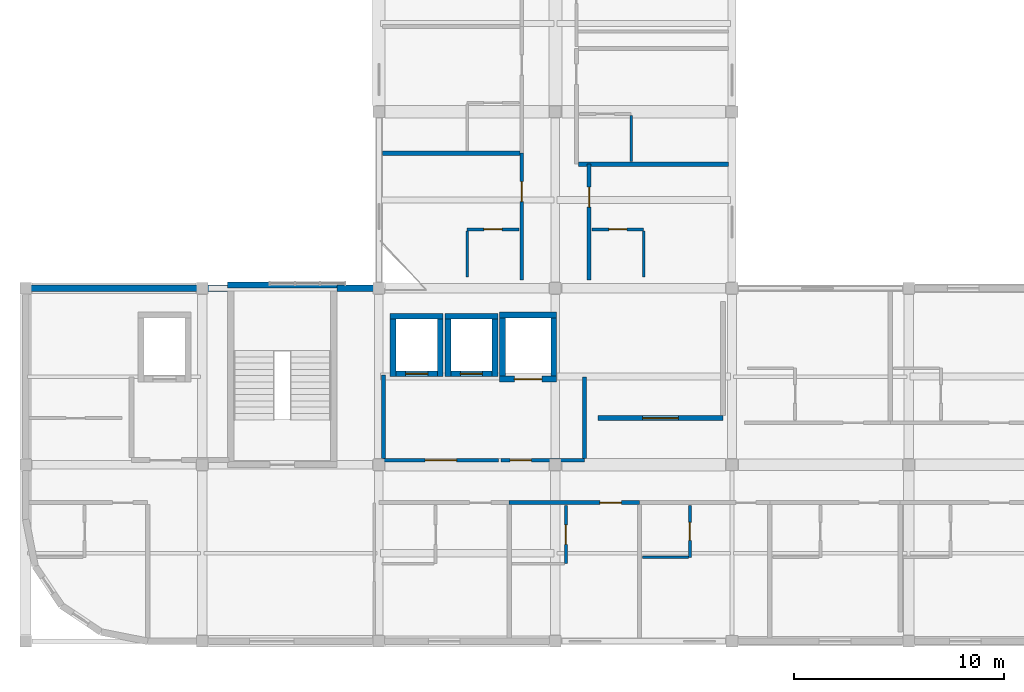
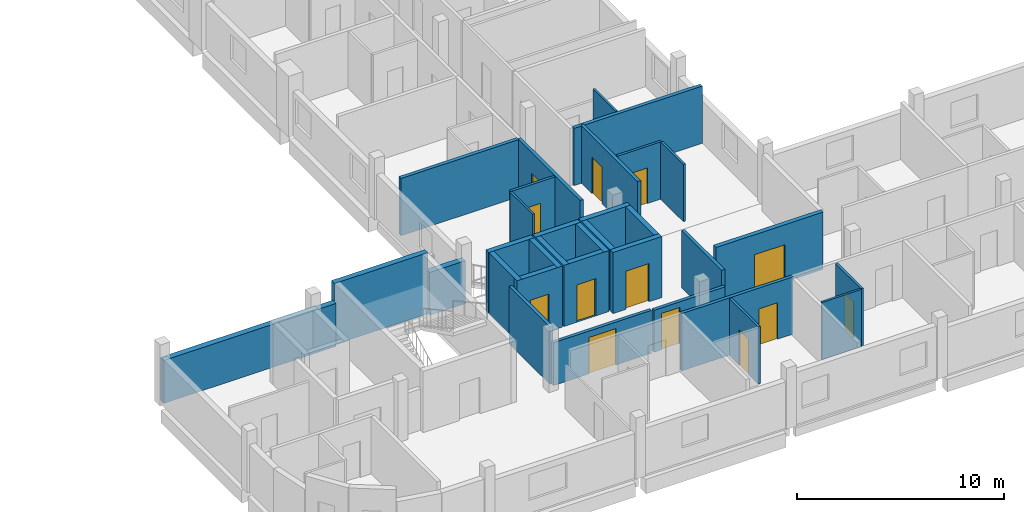
# One storey, part 13 of 26: 33 walls, 13 doors, 13 openings.
"""IFC4 building model written with IfcOpenShell, lengths in metres."""

from ifc_helpers import new_model, si_unit, derived_unit, direction, frame, frame_2d, origin, place, context, subcontext, project, spatial, rectangle, extrude, material, layer, layer_set, type_object, element, fill, save


model = new_model("IFC4")

# Units and contexts
model_context = context("Model", 3, precision=1e-05, world=origin(), true_north=direction((0.0, 1.0)))
body_context = subcontext(model_context, "Body", "Model", "MODEL_VIEW")
ifc_project = project(units=[si_unit("LENGTHUNIT", "METRE"), si_unit("AREAUNIT", "SQUARE_METRE"), si_unit("VOLUMEUNIT", "CUBIC_METRE"), si_unit("PLANEANGLEUNIT", "RADIAN"), si_unit("MASSUNIT", "GRAM", prefix="KILO"), derived_unit("THERMALTRANSMITTANCEUNIT", [(si_unit("POWERUNIT", "WATT"), 1), (si_unit("LENGTHUNIT", "METRE"), -2), (si_unit("THERMODYNAMICTEMPERATUREUNIT", "KELVIN"), -1)])], contexts=[model_context])

# Site, building, storey
site_placement = place(None, origin())
site = spatial("IfcSite", under=ifc_project, at=site_placement, CompositionType="ELEMENT")
building_placement = place(site_placement, origin())
building = spatial("IfcBuilding", under=site, at=building_placement, Name="Barrovel Congress Hotel", CompositionType="ELEMENT")
storey_placement = place(building_placement, frame((0.0, 0.0, 32.699951171875)))
storey = spatial("IfcBuildingStorey", under=building, at=storey_placement, Name="L08", CompositionType="ELEMENT", Elevation=32.699951171875)

# Walls
ifc_material_1 = material(Name="Fired Clay Brick Masonry", Category="masonry")
ifc_layer_1 = layer(ifc_material_1, 0.320068359375)
ifc_layer_set_1 = layer_set([ifc_layer_1], Name="Fired Clay Brick Masonry")
wall_type_1 = type_object("IfcWallType", Name="EW-BRK320", PredefinedType="STANDARD", material=ifc_layer_set_1)
wall_1_placement = place(storey_placement, frame((33.60009765625, 21.0, 0.0), z_axis=(0.0, 0.0, 1.0), x_axis=(-1.0, 0.0, 0.0)))
element("IfcWall", 1, at=wall_1_placement, inside=storey, type_object=wall_type_1, Name="EW:L08:HS-NW-1", PredefinedType="STANDARD", context=body_context, shape_type="SweptSolid", body=[
    extrude(rectangle(XDim=2.0, YDim=0.320068359375, at=frame_2d((1.0, 0.0))), origin(), (0.0, 0.0, 1.0), 2.530029296875),
])
wall_2_placement = place(storey_placement, frame((26.39990234375, 21.0, 0.0), z_axis=(0.0, 0.0, 1.0), x_axis=(-1.0, 0.0, 0.0)))
element("IfcWall", 2, at=wall_2_placement, inside=storey, type_object=wall_type_1, Name="EW:L08:HS-NW-2", PredefinedType="STANDARD", context=body_context, shape_type="SweptSolid", body=[
    extrude(rectangle(XDim=9.599853515625, YDim=0.320068359375, at=frame_2d((4.7998046875, 0.0))), origin(), (0.0, 0.0, 1.0), 2.530029296875),
])

# Wall, opening, door
ifc_material_2 = material(Name="Gypsum Acoustic Stud", Category="gypsum")
ifc_layer_2 = layer(ifc_material_2, 0.179931640625)
ifc_layer_set_2 = layer_set([ifc_layer_2], Name="Gypsum Acoustic Stud")
wall_type_2 = type_object("IfcWallType", Name="PW-ACU-180", PredefinedType="PARTITIONING", material=ifc_layer_set_2)
wall_3_placement = place(storey_placement, frame((39.800048828125, 10.800048828125, 0.0), z_axis=(0.0, 0.0, 1.0), x_axis=(1.0, 0.0, 0.0)))
wall_3 = element("IfcWall", 3, at=wall_3_placement, inside=storey, type_object=wall_type_2, Name="PW:L08:U03:COR", PredefinedType="PARTITIONING", context=body_context, shape_type="SweptSolid", body=[
    extrude(rectangle(XDim=6.199951171875, YDim=0.179931640625, at=frame_2d((3.10009765625, 0.0))), origin(), (0.0, 0.0, 1.0), 3.375),
])
opening_1_placement = place(wall_3_placement, frame((4.31494140625, 0.0, 0.0)))
opening_1 = element("IfcOpeningElement", 4, at=opening_1_placement, cuts=wall_3, Name="Opening ID-ACC", PredefinedType="OPENING", context=body_context, shape_type="SweptSolid", body=[
    extrude(rectangle(XDim=1.02001953125, YDim=2.14990234375, at=frame_2d((0.510009765625, 1.074951171875))), frame((0.0, 0.10009765625, 0.0), z_axis=(0.0, -1.0, 0.0), x_axis=(1.0, 0.0, 0.0)), (0.0, 0.0, 1.0), 0.199951171875),
])
ifc_material_3 = material(Name="Solid Oak Acoustic Timber Door", Category="wood")
door_type_1 = type_object("IfcDoorType", Name="IDR-ID-ACC", OperationType="NOTDEFINED", PredefinedType="DOOR", material=ifc_material_3)
door_1_placement = place(opening_1_placement, origin())
door_1 = element("IfcDoor", 5, at=door_1_placement, inside=storey, type_object=door_type_1, Name="DR:L08:U03:ENT", OperationType="SINGLE_SWING_RIGHT", OverallHeight=2.14990234375, OverallWidth=1.02001953125, PredefinedType="DOOR", context=body_context, shape_type="SweptSolid", body=[
    extrude(rectangle(XDim=1.02001953125, YDim=2.14990234375, at=frame_2d((0.510009765625, 1.074951171875))), frame((0.0, 0.02490234375, 0.0), z_axis=(0.0, -1.0, 0.0), x_axis=(1.0, 0.0, 0.0)), (0.0, 0.0, 1.0), 0.050048828125),
])
fill(opening_1, door_1)

wall_4_placement = place(storey_placement, frame((40.39990234375, 21.39990234375, 0.0), z_axis=(0.0, 0.0, 1.0), x_axis=(0.0, 1.0, 0.0)))
wall_4 = element("IfcWall", 6, at=wall_4_placement, inside=storey, type_object=wall_type_2, Name="PW:L08:U25:COR", PredefinedType="PARTITIONING", context=body_context, shape_type="SweptSolid", body=[
    extrude(rectangle(XDim=6.025146484375, YDim=0.179931640625, at=frame_2d((3.0126953125, 0.0))), origin(), (0.0, 0.0, 1.0), 3.375),
])
opening_2_placement = place(wall_4_placement, frame((3.717529296875, 0.0, 0.0)))
opening_2 = element("IfcOpeningElement", 7, at=opening_2_placement, cuts=wall_4, Name="Opening ID-HTL", PredefinedType="OPENING", context=body_context, shape_type="SweptSolid", body=[
    extrude(rectangle(XDim=0.9599609375, YDim=2.14990234375, at=frame_2d((0.47998046875, 1.074951171875))), frame((0.0, 0.10009765625, 0.0), z_axis=(0.0, -1.0, 0.0), x_axis=(1.0, 0.0, 0.0)), (0.0, 0.0, 1.0), 0.199951171875),
])
door_type_2 = type_object("IfcDoorType", Name="IDR-ID-HTL", OperationType="NOTDEFINED", PredefinedType="DOOR", material=ifc_material_3)
door_2_placement = place(opening_2_placement, origin())
door_2 = element("IfcDoor", 8, at=door_2_placement, inside=storey, type_object=door_type_2, Name="DR:L08:U25:ENT", OperationType="SINGLE_SWING_RIGHT", OverallHeight=2.14990234375, OverallWidth=0.9599609375, PredefinedType="DOOR", context=body_context, shape_type="SweptSolid", body=[
    extrude(rectangle(XDim=0.9599609375, YDim=2.14990234375, at=frame_2d((0.47998046875, 1.074951171875))), frame((0.0, 0.02490234375, 0.0), z_axis=(0.0, -1.0, 0.0), x_axis=(1.0, 0.0, 0.0)), (0.0, 0.0, 1.0), 0.050048828125),
])
fill(opening_2, door_2)

wall_5_placement = place(storey_placement, frame((43.60009765625, 21.39990234375, 0.0), z_axis=(0.0, 0.0, 1.0), x_axis=(0.0, 1.0, 0.0)))
wall_5 = element("IfcWall", 9, at=wall_5_placement, inside=storey, type_object=wall_type_2, Name="PW:L08:U33:COR", PredefinedType="PARTITIONING", context=body_context, shape_type="SweptSolid", body=[
    extrude(rectangle(XDim=5.5, YDim=0.179931640625, at=frame_2d((2.75, 0.0))), origin(), (0.0, 0.0, 1.0), 3.375),
])
opening_3_placement = place(wall_5_placement, frame((3.455078125, 0.0, 0.0)))
opening_3 = element("IfcOpeningElement", 10, at=opening_3_placement, cuts=wall_5, Name="Opening ID-HTL", PredefinedType="OPENING", context=body_context, shape_type="SweptSolid", body=[
    extrude(rectangle(XDim=0.9599609375, YDim=2.14990234375, at=frame_2d((0.47998046875, 1.074951171875))), frame((0.0, 0.10009765625, 0.0), z_axis=(0.0, -1.0, 0.0), x_axis=(1.0, 0.0, 0.0)), (0.0, 0.0, 1.0), 0.199951171875),
])
door_3_placement = place(opening_3_placement, origin())
door_3 = element("IfcDoor", 11, at=door_3_placement, inside=storey, type_object=door_type_2, Name="DR:L08:U33:ENT", OperationType="SINGLE_SWING_RIGHT", OverallHeight=2.14990234375, OverallWidth=0.9599609375, PredefinedType="DOOR", context=body_context, shape_type="SweptSolid", body=[
    extrude(rectangle(XDim=0.9599609375, YDim=2.14990234375, at=frame_2d((0.47998046875, 1.074951171875))), frame((0.0, 0.02490234375, 0.0), z_axis=(0.0, -1.0, 0.0), x_axis=(1.0, 0.0, 0.0)), (0.0, 0.0, 1.0), 0.050048828125),
])
fill(opening_3, door_3)

wall_6_placement = place(storey_placement, frame((33.820068359375, 12.820068359375, 0.0), z_axis=(0.0, 0.0, 1.0), x_axis=(1.0, 0.0, 0.0)))
wall_6 = element("IfcWall", 12, at=wall_6_placement, inside=storey, type_object=wall_type_2, Name="RW:SP:L08:LL-C1:S", PredefinedType="PARTITIONING", context=body_context, shape_type="SweptSolid", body=[
    extrude(rectangle(XDim=5.4599609375, YDim=0.179931640625, at=frame_2d((2.72998046875, 0.0))), origin(), (0.0, 0.0, 1.0), 2.530029296875),
])
opening_4_placement = place(wall_6_placement, frame((1.97998046875, 0.0, 0.0)))
opening_4 = element("IfcOpeningElement", 13, at=opening_4_placement, cuts=wall_6, Name="Opening ID-FFL", PredefinedType="OPENING", context=body_context, shape_type="SweptSolid", body=[
    extrude(rectangle(XDim=1.5, YDim=2.14990234375, at=frame_2d((0.75, 1.074951171875))), frame((0.0, 0.10009765625, 0.0), z_axis=(0.0, -1.0, 0.0), x_axis=(1.0, 0.0, 0.0)), (0.0, 0.0, 1.0), 0.199951171875),
])
ifc_material_4 = material(Name="Painted Hollow-Metal Steel Door", Category="steel")
door_type_3 = type_object("IfcDoorType", Name="IDR-ID-FFL", OperationType="NOTDEFINED", PredefinedType="DOOR", material=ifc_material_4)
door_4_placement = place(opening_4_placement, origin())
door_4 = element("IfcDoor", 14, at=door_4_placement, inside=storey, type_object=door_type_3, Name="RD:SP:L08:LL-C1", OperationType="DOUBLE_DOOR_SINGLE_SWING", OverallHeight=2.14990234375, OverallWidth=1.5, PredefinedType="DOOR", context=body_context, shape_type="SweptSolid", body=[
    extrude(rectangle(XDim=1.5, YDim=2.14990234375, at=frame_2d((0.75, 1.074951171875))), frame((0.0, 0.02490234375, 0.0), z_axis=(0.0, -1.0, 0.0), x_axis=(1.0, 0.0, 0.0)), (0.0, 0.0, 1.0), 0.050048828125),
])
fill(opening_4, door_4)

# Wall
wall_7_placement = place(storey_placement, frame((33.820068359375, 12.909912109375, 0.0), z_axis=(0.0, 0.0, 1.0), x_axis=(0.0, 1.0, 0.0)))
element("IfcWall", 15, at=wall_7_placement, inside=storey, type_object=wall_type_2, Name="RW:SP:L08:LL-C1:W", PredefinedType="PARTITIONING", context=body_context, shape_type="SweptSolid", body=[
    extrude(rectangle(XDim=3.969970703125, YDim=0.179931640625, at=frame_2d((1.98486328125, 0.0))), origin(), (0.0, 0.0, 1.0), 3.375),
])

# Wall, opening, door
wall_8_placement = place(storey_placement, frame((39.419921875, 12.820068359375, 0.0), z_axis=(0.0, 0.0, 1.0), x_axis=(1.0, 0.0, 0.0)))
wall_8 = element("IfcWall", 16, at=wall_8_placement, inside=storey, type_object=wall_type_2, Name="RW:SP:L08:LL-SL1:S", PredefinedType="PARTITIONING", context=body_context, shape_type="SweptSolid", body=[
    extrude(rectangle(XDim=3.9599609375, YDim=0.179931640625, at=frame_2d((1.97998046875, 0.0))), origin(), (0.0, 0.0, 1.0), 2.47998046875),
])
opening_5_placement = place(wall_8_placement, frame((0.419921875, 0.0, 0.0)))
opening_5 = element("IfcOpeningElement", 17, at=opening_5_placement, cuts=wall_8, Name="Opening ID-ACC", PredefinedType="OPENING", context=body_context, shape_type="SweptSolid", body=[
    extrude(rectangle(XDim=1.02001953125, YDim=2.14990234375, at=frame_2d((0.510009765625, 1.074951171875))), frame((0.0, 0.10009765625, 0.0), z_axis=(0.0, -1.0, 0.0), x_axis=(1.0, 0.0, 0.0)), (0.0, 0.0, 1.0), 0.199951171875),
])
door_5_placement = place(opening_5_placement, origin())
door_5 = element("IfcDoor", 18, at=door_5_placement, inside=storey, type_object=door_type_1, Name="RD:SP:L08:LL-SL1", OperationType="SINGLE_SWING_RIGHT", OverallHeight=2.14990234375, OverallWidth=1.02001953125, PredefinedType="DOOR", context=body_context, shape_type="SweptSolid", body=[
    extrude(rectangle(XDim=1.02001953125, YDim=2.14990234375, at=frame_2d((0.510009765625, 1.074951171875))), frame((0.0, 0.02490234375, 0.0), z_axis=(0.0, -1.0, 0.0), x_axis=(1.0, 0.0, 0.0)), (0.0, 0.0, 1.0), 0.050048828125),
])
fill(opening_5, door_5)

# Walls
wall_9_placement = place(storey_placement, frame((43.3798828125, 12.909912109375, 0.0), z_axis=(0.0, 0.0, 1.0), x_axis=(0.0, 1.0, 0.0)))
element("IfcWall", 19, at=wall_9_placement, inside=storey, type_object=wall_type_2, Name="RW:SP:L08:LL-SL1:E", PredefinedType="PARTITIONING", context=body_context, shape_type="SweptSolid", body=[
    extrude(rectangle(XDim=3.8701171875, YDim=0.179931640625, at=frame_2d((1.93505859375, 0.0))), origin(), (0.0, 0.0, 1.0), 3.375),
])
ifc_layer_3 = layer(ifc_material_2, 0.1201171875)
ifc_layer_set_3 = layer_set([ifc_layer_3], Name="Gypsum Acoustic Stud")
wall_type_3 = type_object("IfcWallType", Name="PW-INT-120", PredefinedType="PARTITIONING", material=ifc_layer_set_3)
wall_10_placement = place(storey_placement, frame((46.139892578125, 8.199951171875, 0.0), z_axis=(0.0, 0.0, 1.0), x_axis=(1.0, 0.0, 0.0)))
element("IfcWall", 20, at=wall_10_placement, inside=storey, type_object=wall_type_3, Name="PW:L08:U04:B2", PredefinedType="PARTITIONING", context=body_context, shape_type="SweptSolid", body=[
    extrude(rectangle(XDim=2.190185546875, YDim=0.1201171875, at=frame_2d((1.09521484375, 0.0))), origin(), (0.0, 0.0, 1.0), 3.375),
])
for number, where, z_axis, x_axis, name in (
    (21, (37.800048828125, 21.5400390625, 0.0), (0.0, 0.0, 1.0), (0.0, 1.0, 0.0), "PW:L08:U25:B2"),
    (22, (46.199951171875, 21.5400390625, 0.0), (0.0, 0.0, 1.0), (0.0, 1.0, 0.0), "PW:L08:U33:B2"),
    (23, (45.60009765625, 27.0400390625, 0.0), (0.0, 0.0, 1.0), (0.0, 1.0, 0.0), "PW:L08:U34:B2"),
):
    element("IfcWall", number, at=place(storey_placement, frame(where, z_axis=z_axis, x_axis=x_axis)), inside=storey, type_object=wall_type_3, Name=name, PredefinedType="PARTITIONING", context=body_context, shape_type="SweptSolid", body=[
        extrude(rectangle(XDim=2.18994140625, YDim=0.1201171875, at=frame_2d((1.094970703125, 0.0))), origin(), (0.0, 0.0, 1.0), 3.375),
    ])
ifc_layer_4 = layer(ifc_material_1, 0.199951171875)
ifc_layer_set_4 = layer_set([ifc_layer_4], Name="Fired Clay Brick Masonry")
wall_type_4 = type_object("IfcWallType", Name="PW-MAS-200", PredefinedType="PARTITIONING", material=ifc_layer_set_4)
wall_11_placement = place(storey_placement, frame((33.760009765625, 27.425048828125, 0.0), z_axis=(0.0, 0.0, 1.0), x_axis=(1.0, 0.0, 0.0)))
element("IfcWall", 24, at=wall_11_placement, inside=storey, type_object=wall_type_4, Name="PW:L08:U25:DEM", PredefinedType="PARTITIONING", context=body_context, shape_type="SweptSolid", body=[
    extrude(rectangle(XDim=6.550048828125, YDim=0.199951171875, at=frame_2d((3.27490234375, 0.0))), origin(), (0.0, 0.0, 1.0), 3.375),
])
wall_12_placement = place(storey_placement, frame((43.090087890625, 26.89990234375, 0.0), z_axis=(0.0, 0.0, 1.0), x_axis=(1.0, 0.0, 0.0)))
element("IfcWall", 25, at=wall_12_placement, inside=storey, type_object=wall_type_4, Name="PW:L08:U33:DEM", PredefinedType="PARTITIONING", context=body_context, shape_type="SweptSolid", body=[
    extrude(rectangle(XDim=7.14990234375, YDim=0.199951171875, at=frame_2d((3.574951171875, 0.0))), origin(), (0.0, 0.0, 1.0), 3.375),
])

# Wall, opening, door
ifc_layer_5 = layer(ifc_material_1, 0.239990234375)
ifc_layer_set_5 = layer_set([ifc_layer_5], Name="Fired Clay Brick Masonry")
wall_type_5 = type_object("IfcWallType", Name="PW-MAS-240", PredefinedType="PARTITIONING", material=ifc_layer_set_5)
wall_13_placement = place(storey_placement, frame((44.02001953125, 14.820068359375, 0.0), z_axis=(0.0, 0.0, 1.0), x_axis=(1.0, 0.0, 0.0)))
wall_13 = element("IfcWall", 26, at=wall_13_placement, inside=storey, type_object=wall_type_5, Name="RW:SP:L08:LINEN:S", PredefinedType="PARTITIONING", context=body_context, shape_type="SweptSolid", body=[
    extrude(rectangle(XDim=5.9599609375, YDim=0.239990234375, at=frame_2d((2.97998046875, 0.0))), origin(), (0.0, 0.0, 1.0), 3.375),
])
opening_6_placement = place(wall_13_placement, frame((2.1298828125, 0.0, 0.0)))
opening_6 = element("IfcOpeningElement", 27, at=opening_6_placement, cuts=wall_13, Name="Opening ID-KIT", PredefinedType="OPENING", context=body_context, shape_type="SweptSolid", body=[
    extrude(rectangle(XDim=1.699951171875, YDim=2.199951171875, at=frame_2d((0.85009765625, 1.10009765625))), frame((0.0, 0.1298828125, 0.0), z_axis=(0.0, -1.0, 0.0), x_axis=(1.0, 0.0, 0.0)), (0.0, 0.0, 1.0), 0.260009765625),
])
ifc_material_5 = material(Name="Brushed Stainless Steel", Category="steel")
door_type_4 = type_object("IfcDoorType", Name="IDR-ID-KIT", OperationType="NOTDEFINED", PredefinedType="DOOR", material=ifc_material_5)
door_6_placement = place(opening_6_placement, origin())
door_6 = element("IfcDoor", 28, at=door_6_placement, inside=storey, type_object=door_type_4, Name="RD:SP:L08:LINEN", OperationType="DOUBLE_DOOR_SINGLE_SWING", OverallHeight=2.199951171875, OverallWidth=1.699951171875, PredefinedType="DOOR", context=body_context, shape_type="SweptSolid", body=[
    extrude(rectangle(XDim=1.699951171875, YDim=2.199951171875, at=frame_2d((0.85009765625, 1.10009765625))), frame((0.0, 0.02490234375, 0.0), z_axis=(0.0, -1.0, 0.0), x_axis=(1.0, 0.0, 0.0)), (0.0, 0.0, 1.0), 0.050048828125),
])
fill(opening_6, door_6)

ifc_material_6 = material(Name="Gypsum Moisture Board", Category="gypsum")
ifc_layer_6 = layer(ifc_material_6, 0.139892578125)
ifc_layer_set_6 = layer_set([ifc_layer_6], Name="Gypsum Moisture Board")
wall_type_6 = type_object("IfcWallType", Name="PW-WET-140", PredefinedType="PARTITIONING", material=ifc_layer_set_6)
wall_14_placement = place(storey_placement, frame((42.5, 7.89990234375, 0.0), z_axis=(0.0, 0.0, 1.0), x_axis=(0.0, 1.0, 0.0)))
wall_14 = element("IfcWall", 29, at=wall_14_placement, inside=storey, type_object=wall_type_6, Name="PW:L08:U03:B1", PredefinedType="PARTITIONING", context=body_context, shape_type="SweptSolid", body=[
    extrude(rectangle(XDim=2.760009765625, YDim=0.139892578125, at=frame_2d((1.3798828125, 0.0))), origin(), (0.0, 0.0, 1.0), 3.375),
])
opening_7_placement = place(wall_14_placement, frame((0.919921875, 0.0, 0.0)))
opening_7 = element("IfcOpeningElement", 30, at=opening_7_placement, cuts=wall_14, Name="Opening ID-EA2", PredefinedType="OPENING", context=body_context, shape_type="SweptSolid", body=[
    extrude(rectangle(XDim=0.919921875, YDim=2.10009765625, at=frame_2d((0.4599609375, 1.050048828125))), frame((0.0, 0.080078125, 0.0), z_axis=(0.0, -1.0, 0.0), x_axis=(1.0, 0.0, 0.0)), (0.0, 0.0, 1.0), 0.159912109375),
])
ifc_material_7 = material(Name="Lacquered Timber Moisture Door", Category="wood")
door_type_5 = type_object("IfcDoorType", Name="IDR-ID-EA2", OperationType="NOTDEFINED", PredefinedType="DOOR", material=ifc_material_7)
door_7_placement = place(opening_7_placement, origin())
door_7 = element("IfcDoor", 31, at=door_7_placement, inside=storey, type_object=door_type_5, Name="DR:L08:U03:ENS", OperationType="SINGLE_SWING_LEFT", OverallHeight=2.10009765625, OverallWidth=0.919921875, PredefinedType="DOOR", context=body_context, shape_type="SweptSolid", body=[
    extrude(rectangle(XDim=0.919921875, YDim=2.10009765625, at=frame_2d((0.4599609375, 1.050048828125))), frame((0.0, 0.02490234375, 0.0), z_axis=(0.0, -1.0, 0.0), x_axis=(1.0, 0.0, 0.0)), (0.0, 0.0, 1.0), 0.050048828125),
])
fill(opening_7, door_7)

wall_15_placement = place(storey_placement, frame((48.39990234375, 8.199951171875, 0.0), z_axis=(0.0, 0.0, 1.0), x_axis=(0.0, 1.0, 0.0)))
wall_15 = element("IfcWall", 32, at=wall_15_placement, inside=storey, type_object=wall_type_6, Name="PW:L08:U04:B1", PredefinedType="PARTITIONING", context=body_context, shape_type="SweptSolid", body=[
    extrude(rectangle(XDim=2.4599609375, YDim=0.139892578125, at=frame_2d((1.22998046875, 0.0))), origin(), (0.0, 0.0, 1.0), 3.375),
])
opening_8_placement = place(wall_15_placement, frame((0.800048828125, 0.0, 0.0)))
opening_8 = element("IfcOpeningElement", 33, at=opening_8_placement, cuts=wall_15, Name="Opening ID-ENS", PredefinedType="OPENING", context=body_context, shape_type="SweptSolid", body=[
    extrude(rectangle(XDim=0.860107421875, YDim=2.10009765625, at=frame_2d((0.43017578125, 1.050048828125))), frame((0.0, 0.080078125, 0.0), z_axis=(0.0, -1.0, 0.0), x_axis=(1.0, 0.0, 0.0)), (0.0, 0.0, 1.0), 0.159912109375),
])
door_type_6 = type_object("IfcDoorType", Name="IDR-ID-ENS", OperationType="NOTDEFINED", PredefinedType="DOOR", material=ifc_material_7)
door_8_placement = place(opening_8_placement, origin())
door_8 = element("IfcDoor", 34, at=door_8_placement, inside=storey, type_object=door_type_6, Name="DR:L08:U04:ENS", OperationType="SINGLE_SWING_LEFT", OverallHeight=2.10009765625, OverallWidth=0.860107421875, PredefinedType="DOOR", context=body_context, shape_type="SweptSolid", body=[
    extrude(rectangle(XDim=0.860107421875, YDim=2.10009765625, at=frame_2d((0.43017578125, 1.050048828125))), frame((0.0, 0.02490234375, 0.0), z_axis=(0.0, -1.0, 0.0), x_axis=(1.0, 0.0, 0.0)), (0.0, 0.0, 1.0), 0.050048828125),
])
fill(opening_8, door_8)

wall_16_placement = place(storey_placement, frame((37.800048828125, 23.800048828125, 0.0), z_axis=(0.0, 0.0, 1.0), x_axis=(1.0, 0.0, 0.0)))
wall_16 = element("IfcWall", 35, at=wall_16_placement, inside=storey, type_object=wall_type_6, Name="PW:L08:U25:B1", PredefinedType="PARTITIONING", context=body_context, shape_type="SweptSolid", body=[
    extrude(rectangle(XDim=2.4599609375, YDim=0.139892578125, at=frame_2d((1.22998046875, 0.0))), origin(), (0.0, 0.0, 1.0), 3.375),
])
opening_9_placement = place(wall_16_placement, frame((0.800048828125, 0.0, 0.0)))
opening_9 = element("IfcOpeningElement", 36, at=opening_9_placement, cuts=wall_16, Name="Opening ID-ENS", PredefinedType="OPENING", context=body_context, shape_type="SweptSolid", body=[
    extrude(rectangle(XDim=0.860107421875, YDim=2.10009765625, at=frame_2d((0.43017578125, 1.050048828125))), frame((0.0, 0.080078125, 0.0), z_axis=(0.0, -1.0, 0.0), x_axis=(1.0, 0.0, 0.0)), (0.0, 0.0, 1.0), 0.159912109375),
])
door_9_placement = place(opening_9_placement, origin())
door_9 = element("IfcDoor", 37, at=door_9_placement, inside=storey, type_object=door_type_6, Name="DR:L08:U25:ENS", OperationType="SINGLE_SWING_LEFT", OverallHeight=2.10009765625, OverallWidth=0.860107421875, PredefinedType="DOOR", context=body_context, shape_type="SweptSolid", body=[
    extrude(rectangle(XDim=0.860107421875, YDim=2.10009765625, at=frame_2d((0.43017578125, 1.050048828125))), frame((0.0, 0.02490234375, 0.0), z_axis=(0.0, -1.0, 0.0), x_axis=(1.0, 0.0, 0.0)), (0.0, 0.0, 1.0), 0.050048828125),
])
fill(opening_9, door_9)

wall_17_placement = place(storey_placement, frame((43.739990234375, 23.800048828125, 0.0), z_axis=(0.0, 0.0, 1.0), x_axis=(1.0, 0.0, 0.0)))
wall_17 = element("IfcWall", 38, at=wall_17_placement, inside=storey, type_object=wall_type_6, Name="PW:L08:U33:B1", PredefinedType="PARTITIONING", context=body_context, shape_type="SweptSolid", body=[
    extrude(rectangle(XDim=2.4599609375, YDim=0.139892578125, at=frame_2d((1.22998046875, 0.0))), origin(), (0.0, 0.0, 1.0), 3.375),
])
opening_10_placement = place(wall_17_placement, frame((0.800048828125, 0.0, 0.0)))
opening_10 = element("IfcOpeningElement", 39, at=opening_10_placement, cuts=wall_17, Name="Opening ID-ENS", PredefinedType="OPENING", context=body_context, shape_type="SweptSolid", body=[
    extrude(rectangle(XDim=0.860107421875, YDim=2.10009765625, at=frame_2d((0.43017578125, 1.050048828125))), frame((0.0, 0.080078125, 0.0), z_axis=(0.0, -1.0, 0.0), x_axis=(1.0, 0.0, 0.0)), (0.0, 0.0, 1.0), 0.159912109375),
])
door_10_placement = place(opening_10_placement, origin())
door_10 = element("IfcDoor", 40, at=door_10_placement, inside=storey, type_object=door_type_6, Name="DR:L08:U33:ENS", OperationType="SINGLE_SWING_LEFT", OverallHeight=2.10009765625, OverallWidth=0.860107421875, PredefinedType="DOOR", context=body_context, shape_type="SweptSolid", body=[
    extrude(rectangle(XDim=0.860107421875, YDim=2.10009765625, at=frame_2d((0.43017578125, 1.050048828125))), frame((0.0, 0.02490234375, 0.0), z_axis=(0.0, -1.0, 0.0), x_axis=(1.0, 0.0, 0.0)), (0.0, 0.0, 1.0), 0.050048828125),
])
fill(opening_10, door_10)

ifc_material_8 = material(Name="Concrete C40", Category="concrete")
ifc_layer_7 = layer(ifc_material_8, 0.280029296875)
ifc_layer_set_7 = layer_set([ifc_layer_7], Name="Concrete C40")
wall_type_7 = type_object("IfcWallType", Name="SW-C40-280", PredefinedType="SHEAR", material=ifc_layer_set_7)
wall_18_placement = place(storey_placement, frame((34.139892578125, 16.929931640625, 0.0), z_axis=(0.0, 0.0, 1.0), x_axis=(1.0, 0.0, 0.0)))
wall_18 = element("IfcWall", 41, at=wall_18_placement, inside=storey, type_object=wall_type_7, Name="LSH:PL-1:L08:S", PredefinedType="SHEAR", context=body_context, shape_type="SweptSolid", body=[
    extrude(rectangle(XDim=2.52001953125, YDim=0.280029296875, at=frame_2d((1.260009765625, 0.0))), origin(), (0.0, 0.0, 1.0), 3.60009765625),
])
opening_11_placement = place(wall_18_placement, frame((0.735107421875, 0.0, 0.0)))
opening_11 = element("IfcOpeningElement", 42, at=opening_11_placement, cuts=wall_18, Name="Opening LD-PAX", PredefinedType="OPENING", context=body_context, shape_type="SweptSolid", body=[
    extrude(rectangle(XDim=1.050048828125, YDim=2.199951171875, at=frame_2d((0.52490234375, 1.10009765625))), frame((0.0, 0.14990234375, 0.0), z_axis=(0.0, -1.0, 0.0), x_axis=(1.0, 0.0, 0.0)), (0.0, 0.0, 1.0), 0.300048828125),
])
door_type_7 = type_object("IfcDoorType", Name="IDR-LD-PAX", OperationType="NOTDEFINED", PredefinedType="DOOR", material=ifc_material_5)
door_11_placement = place(opening_11_placement, origin())
door_11 = element("IfcDoor", 43, at=door_11_placement, inside=storey, type_object=door_type_7, Name="Lift Landing Door LD-PL-1-L08", OperationType="SLIDING_TO_LEFT", OverallHeight=2.199951171875, OverallWidth=1.050048828125, PredefinedType="DOOR", context=body_context, shape_type="SweptSolid", body=[
    extrude(rectangle(XDim=1.050048828125, YDim=2.199951171875, at=frame_2d((0.52490234375, 1.10009765625))), frame((0.0, 0.02490234375, 0.0), z_axis=(0.0, -1.0, 0.0), x_axis=(1.0, 0.0, 0.0)), (0.0, 0.0, 1.0), 0.050048828125),
])
fill(opening_11, door_11)

# Walls
wall_19_placement = place(storey_placement, frame((36.52001953125, 16.7900390625, 0.0), z_axis=(0.0, 0.0, 1.0), x_axis=(0.0, 1.0, 0.0)))
element("IfcWall", 44, at=wall_19_placement, inside=storey, type_object=wall_type_7, Name="LSH:PL-1:L08:E", PredefinedType="SHEAR", context=body_context, shape_type="SweptSolid", body=[
    extrude(rectangle(XDim=3.02001953125, YDim=0.280029296875, at=frame_2d((1.510009765625, 0.0))), origin(), (0.0, 0.0, 1.0), 3.60009765625),
])
wall_20_placement = place(storey_placement, frame((36.659912109375, 19.669921875, 0.0), z_axis=(0.0, 0.0, 1.0), x_axis=(-1.0, 0.0, 0.0)))
element("IfcWall", 45, at=wall_20_placement, inside=storey, type_object=wall_type_7, Name="LSH:PL-1:L08:N", PredefinedType="SHEAR", context=body_context, shape_type="SweptSolid", body=[
    extrude(rectangle(XDim=2.52001953125, YDim=0.280029296875, at=frame_2d((1.260009765625, 0.0))), origin(), (0.0, 0.0, 1.0), 3.60009765625),
])
wall_21_placement = place(storey_placement, frame((34.280029296875, 19.81005859375, 0.0), z_axis=(0.0, 0.0, 1.0), x_axis=(0.0, -1.0, 0.0)))
element("IfcWall", 46, at=wall_21_placement, inside=storey, type_object=wall_type_7, Name="LSH:PL-1:L08:W", PredefinedType="SHEAR", context=body_context, shape_type="SweptSolid", body=[
    extrude(rectangle(XDim=3.02001953125, YDim=0.280029296875, at=frame_2d((1.510009765625, 0.0))), origin(), (0.0, 0.0, 1.0), 3.60009765625),
])

# Wall, opening, door
wall_22_placement = place(storey_placement, frame((36.739990234375, 16.929931640625, 0.0), z_axis=(0.0, 0.0, 1.0), x_axis=(1.0, 0.0, 0.0)))
wall_22 = element("IfcWall", 47, at=wall_22_placement, inside=storey, type_object=wall_type_7, Name="LSH:PL-2:L08:S", PredefinedType="SHEAR", context=body_context, shape_type="SweptSolid", body=[
    extrude(rectangle(XDim=2.52001953125, YDim=0.280029296875, at=frame_2d((1.260009765625, 0.0))), origin(), (0.0, 0.0, 1.0), 3.60009765625),
])
opening_12_placement = place(wall_22_placement, frame((0.735107421875, 0.0, 0.0)))
opening_12 = element("IfcOpeningElement", 48, at=opening_12_placement, cuts=wall_22, Name="Opening LD-PAX", PredefinedType="OPENING", context=body_context, shape_type="SweptSolid", body=[
    extrude(rectangle(XDim=1.050048828125, YDim=2.199951171875, at=frame_2d((0.52490234375, 1.10009765625))), frame((0.0, 0.14990234375, 0.0), z_axis=(0.0, -1.0, 0.0), x_axis=(1.0, 0.0, 0.0)), (0.0, 0.0, 1.0), 0.300048828125),
])
door_12_placement = place(opening_12_placement, origin())
door_12 = element("IfcDoor", 49, at=door_12_placement, inside=storey, type_object=door_type_7, Name="Lift Landing Door LD-PL-2-L08", OperationType="SLIDING_TO_LEFT", OverallHeight=2.199951171875, OverallWidth=1.050048828125, PredefinedType="DOOR", context=body_context, shape_type="SweptSolid", body=[
    extrude(rectangle(XDim=1.050048828125, YDim=2.199951171875, at=frame_2d((0.52490234375, 1.10009765625))), frame((0.0, 0.02490234375, 0.0), z_axis=(0.0, -1.0, 0.0), x_axis=(1.0, 0.0, 0.0)), (0.0, 0.0, 1.0), 0.050048828125),
])
fill(opening_12, door_12)

# Walls
wall_23_placement = place(storey_placement, frame((39.1201171875, 16.7900390625, 0.0), z_axis=(0.0, 0.0, 1.0), x_axis=(0.0, 1.0, 0.0)))
element("IfcWall", 50, at=wall_23_placement, inside=storey, type_object=wall_type_7, Name="LSH:PL-2:L08:E", PredefinedType="SHEAR", context=body_context, shape_type="SweptSolid", body=[
    extrude(rectangle(XDim=3.02001953125, YDim=0.280029296875, at=frame_2d((1.510009765625, 0.0))), origin(), (0.0, 0.0, 1.0), 3.60009765625),
])
wall_24_placement = place(storey_placement, frame((39.260009765625, 19.669921875, 0.0), z_axis=(0.0, 0.0, 1.0), x_axis=(-1.0, 0.0, 0.0)))
element("IfcWall", 51, at=wall_24_placement, inside=storey, type_object=wall_type_7, Name="LSH:PL-2:L08:N", PredefinedType="SHEAR", context=body_context, shape_type="SweptSolid", body=[
    extrude(rectangle(XDim=2.52001953125, YDim=0.280029296875, at=frame_2d((1.260009765625, 0.0))), origin(), (0.0, 0.0, 1.0), 3.60009765625),
])
wall_25_placement = place(storey_placement, frame((36.8798828125, 19.81005859375, 0.0), z_axis=(0.0, 0.0, 1.0), x_axis=(0.0, -1.0, 0.0)))
element("IfcWall", 52, at=wall_25_placement, inside=storey, type_object=wall_type_7, Name="LSH:PL-2:L08:W", PredefinedType="SHEAR", context=body_context, shape_type="SweptSolid", body=[
    extrude(rectangle(XDim=3.02001953125, YDim=0.280029296875, at=frame_2d((1.510009765625, 0.0))), origin(), (0.0, 0.0, 1.0), 3.60009765625),
])

# Wall, opening, door
wall_26_placement = place(storey_placement, frame((39.340087890625, 16.679931640625, 0.0), z_axis=(0.0, 0.0, 1.0), x_axis=(1.0, 0.0, 0.0)))
wall_26 = element("IfcWall", 53, at=wall_26_placement, inside=storey, type_object=wall_type_7, Name="LSH:SL-1:L08:S", PredefinedType="SHEAR", context=body_context, shape_type="SweptSolid", body=[
    extrude(rectangle(XDim=2.719970703125, YDim=0.280029296875, at=frame_2d((1.35986328125, 0.0))), origin(), (0.0, 0.0, 1.0), 3.60009765625),
])
opening_13_placement = place(wall_26_placement, frame((0.7099609375, 0.0, 0.0)))
opening_13 = element("IfcOpeningElement", 54, at=opening_13_placement, cuts=wall_26, Name="Opening LD-SRV", PredefinedType="OPENING", context=body_context, shape_type="SweptSolid", body=[
    extrude(rectangle(XDim=1.300048828125, YDim=2.25, at=frame_2d((0.64990234375, 1.125))), frame((0.0, 0.14990234375, 0.0), z_axis=(0.0, -1.0, 0.0), x_axis=(1.0, 0.0, 0.0)), (0.0, 0.0, 1.0), 0.300048828125),
])
door_type_8 = type_object("IfcDoorType", Name="IDR-LD-SRV", OperationType="NOTDEFINED", PredefinedType="DOOR", material=ifc_material_5)
door_13_placement = place(opening_13_placement, origin())
door_13 = element("IfcDoor", 55, at=door_13_placement, inside=storey, type_object=door_type_8, Name="Lift Landing Door LD-SL-1-L08", OperationType="SLIDING_TO_LEFT", OverallHeight=2.25, OverallWidth=1.300048828125, PredefinedType="DOOR", context=body_context, shape_type="SweptSolid", body=[
    extrude(rectangle(XDim=1.300048828125, YDim=2.25, at=frame_2d((0.64990234375, 1.125))), frame((0.0, 0.02490234375, 0.0), z_axis=(0.0, -1.0, 0.0), x_axis=(1.0, 0.0, 0.0)), (0.0, 0.0, 1.0), 0.050048828125),
])
fill(opening_13, door_13)

# Walls
wall_27_placement = place(storey_placement, frame((41.919921875, 16.5400390625, 0.0), z_axis=(0.0, 0.0, 1.0), x_axis=(0.0, 1.0, 0.0)))
element("IfcWall", 56, at=wall_27_placement, inside=storey, type_object=wall_type_7, Name="LSH:SL-1:L08:E", PredefinedType="SHEAR", context=body_context, shape_type="SweptSolid", body=[
    extrude(rectangle(XDim=3.320068359375, YDim=0.280029296875, at=frame_2d((1.66015625, 0.0))), origin(), (0.0, 0.0, 1.0), 3.60009765625),
])
wall_28_placement = place(storey_placement, frame((42.06005859375, 19.719970703125, 0.0), z_axis=(0.0, 0.0, 1.0), x_axis=(-1.0, 0.0, 0.0)))
element("IfcWall", 57, at=wall_28_placement, inside=storey, type_object=wall_type_7, Name="LSH:SL-1:L08:N", PredefinedType="SHEAR", context=body_context, shape_type="SweptSolid", body=[
    extrude(rectangle(XDim=2.719970703125, YDim=0.280029296875, at=frame_2d((1.35986328125, 0.0))), origin(), (0.0, 0.0, 1.0), 3.60009765625),
])
wall_29_placement = place(storey_placement, frame((39.47998046875, 19.860107421875, 0.0), z_axis=(0.0, 0.0, 1.0), x_axis=(0.0, -1.0, 0.0)))
element("IfcWall", 58, at=wall_29_placement, inside=storey, type_object=wall_type_7, Name="LSH:SL-1:L08:W", PredefinedType="SHEAR", context=body_context, shape_type="SweptSolid", body=[
    extrude(rectangle(XDim=3.320068359375, YDim=0.280029296875, at=frame_2d((1.66015625, 0.0))), origin(), (0.0, 0.0, 1.0), 3.60009765625),
])
ifc_layer_8 = layer(ifc_material_8, 0.300048828125)
ifc_layer_set_8 = layer_set([ifc_layer_8], Name="Concrete C40")
wall_type_8 = type_object("IfcWallType", Name="SW-C40-300", PredefinedType="SHEAR", material=ifc_layer_set_8)
wall_30_placement = place(storey_placement, frame((31.60009765625, 21.14990234375, 0.0), z_axis=(0.0, 0.0, 1.0), x_axis=(-1.0, 0.0, 0.0)))
element("IfcWall", 59, at=wall_30_placement, inside=storey, type_object=wall_type_8, Name="SHW:XS-01:L08:N", PredefinedType="SHEAR", context=body_context, shape_type="SweptSolid", body=[
    extrude(rectangle(XDim=5.2001953125, YDim=0.300048828125, at=frame_2d((2.60009765625, 0.0))), origin(), (0.0, 0.0, 1.0), 3.60009765625),
])

save(model, "model.ifc")
